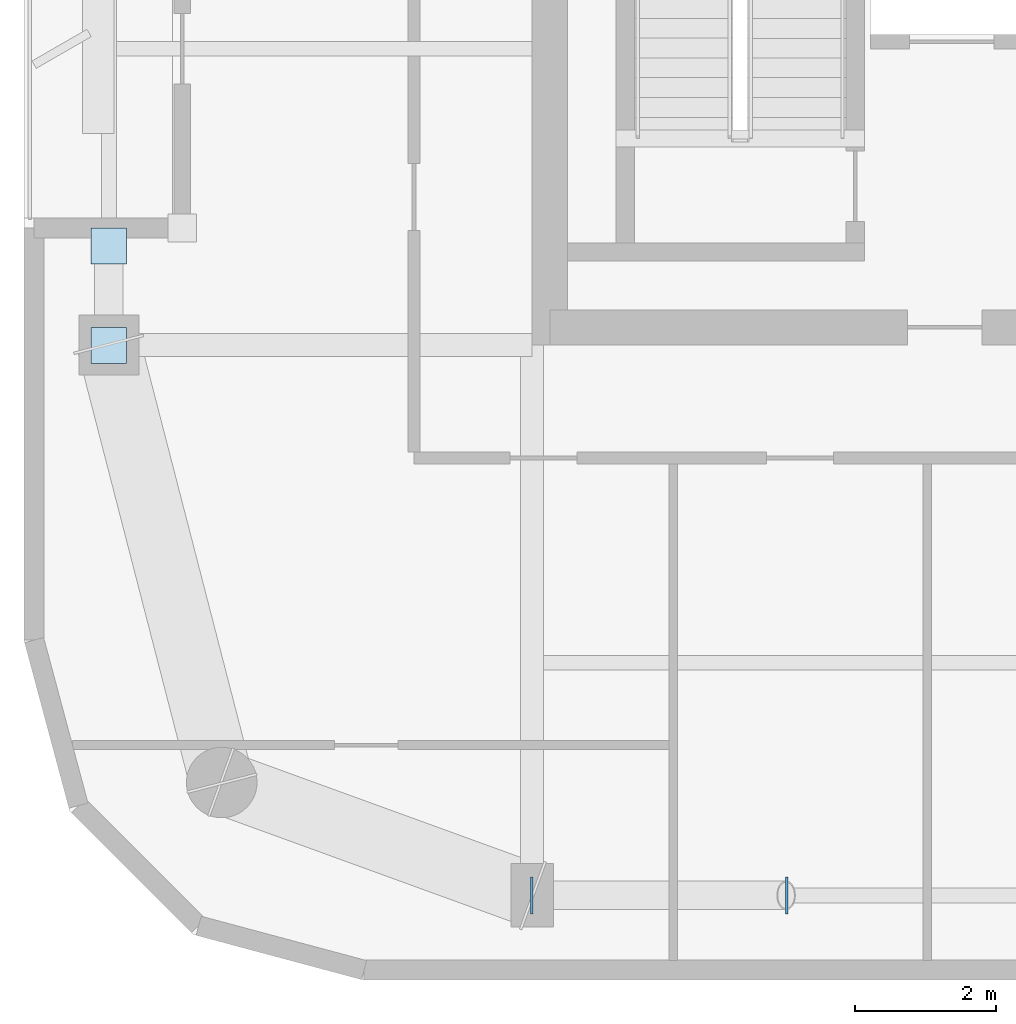
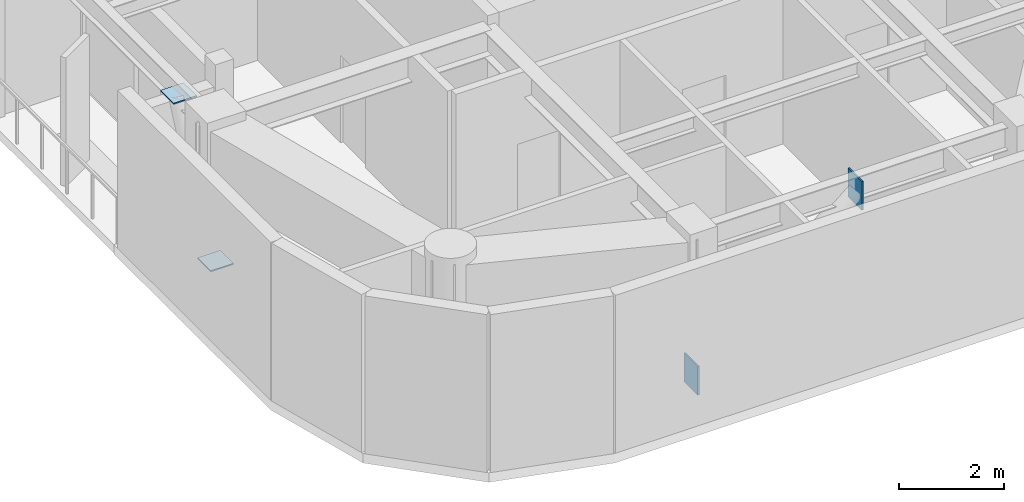
# One storey, part 8 of 16: 4 plates.
"""IFC4 building model written with IfcOpenShell, lengths in metres."""

from ifc_helpers import new_model, si_unit, direction, frame, origin, origin_2d, place, context, subcontext, project, spatial, rectangle, extrude, material, layer, layer_set, type_object, element, save


model = new_model("IFC4")

# Units and contexts
model_context = context("Model", 3, precision=1e-05, world=origin(), true_north=direction((0.0, 1.0)))
body_context = subcontext(model_context, "Body", "Model", "MODEL_VIEW")
ifc_project = project(units=[si_unit("LENGTHUNIT", "METRE"), si_unit("AREAUNIT", "SQUARE_METRE"), si_unit("VOLUMEUNIT", "CUBIC_METRE"), si_unit("PLANEANGLEUNIT", "RADIAN"), si_unit("MASSUNIT", "GRAM", prefix="KILO")], contexts=[model_context])

# Site, building, storey
site_placement = place(None, origin())
site = spatial("IfcSite", under=ifc_project, at=site_placement, CompositionType="ELEMENT")
building_placement = place(site_placement, origin())
building = spatial("IfcBuilding", under=site, at=building_placement, Name="Kiyonajd Concourse Tower", CompositionType="ELEMENT")
storey_placement = place(building_placement, frame((0.0, 0.0, 310.199951171875)))
storey = spatial("IfcBuildingStorey", under=building, at=storey_placement, Name="L78", CompositionType="ELEMENT", Elevation=310.199951171875)

# Plates
ifc_material = material(Name="Steel ASTM A572 Grade 50", Category="steel")
ifc_layer = layer(ifc_material, 0.028076171875)
ifc_layer_set = layer_set([ifc_layer], Name="Steel ASTM A572 Grade 50")
plate_type = type_object("IfcPlateType", Name="PL-CAP-450", PredefinedType="USERDEFINED", material=ifc_layer_set)
for number, where, z_axis, x_axis, name in (
    (1, (32.3916015625, 19.800048828125, -0.04248046875), (0.0, 0.0, 1.0), (-1.0, 0.0, 0.0), "L78 Hollow Brace End Cap Plate PBS"),
    (2, (36.00830078125, 19.800048828125, 3.001708984375), (0.0, 0.0, 1.0), (1.0, 0.0, 0.0), "L78 Hollow Brace Top Cap Plate PBS"),
):
    element("IfcPlate", number, at=place(storey_placement, frame(where, z_axis=z_axis, x_axis=x_axis)), inside=storey, type_object=plate_type, Name=name, ObjectType="CAP PLATE", PredefinedType="USERDEFINED", context=body_context, shape_type="SweptSolid", body=[
        extrude(rectangle(XDim=0.035888671875, YDim=0.52587890625, at=origin_2d()), origin(), (0.0, 0.0, 1.0), 0.6708984375),
    ])
for number, where, z_axis, x_axis, name in (
    (3, (26.39990234375, 27.595458984375, 0.27587890625), (0.0, 0.0, 1.0), (1.0, 0.0, 0.0), "L78 Hollow Brace End Cap Plate PBW"),
    (4, (26.39990234375, 29.004638671875, 3.326171875), (0.0, 0.0, 1.0), (1.0, 0.0, 0.0), "L78 Hollow Brace Top Cap Plate PBW"),
):
    element("IfcPlate", number, at=place(storey_placement, frame(where, z_axis=z_axis, x_axis=x_axis)), inside=storey, type_object=plate_type, Name=name, ObjectType="CAP PLATE", PredefinedType="USERDEFINED", context=body_context, shape_type="SweptSolid", body=[
        extrude(rectangle(XDim=0.506103515625, YDim=0.506103515625, at=origin_2d()), origin(), (0.0, 0.0, 1.0), 0.028076171875),
    ])

save(model, "model.ifc")
